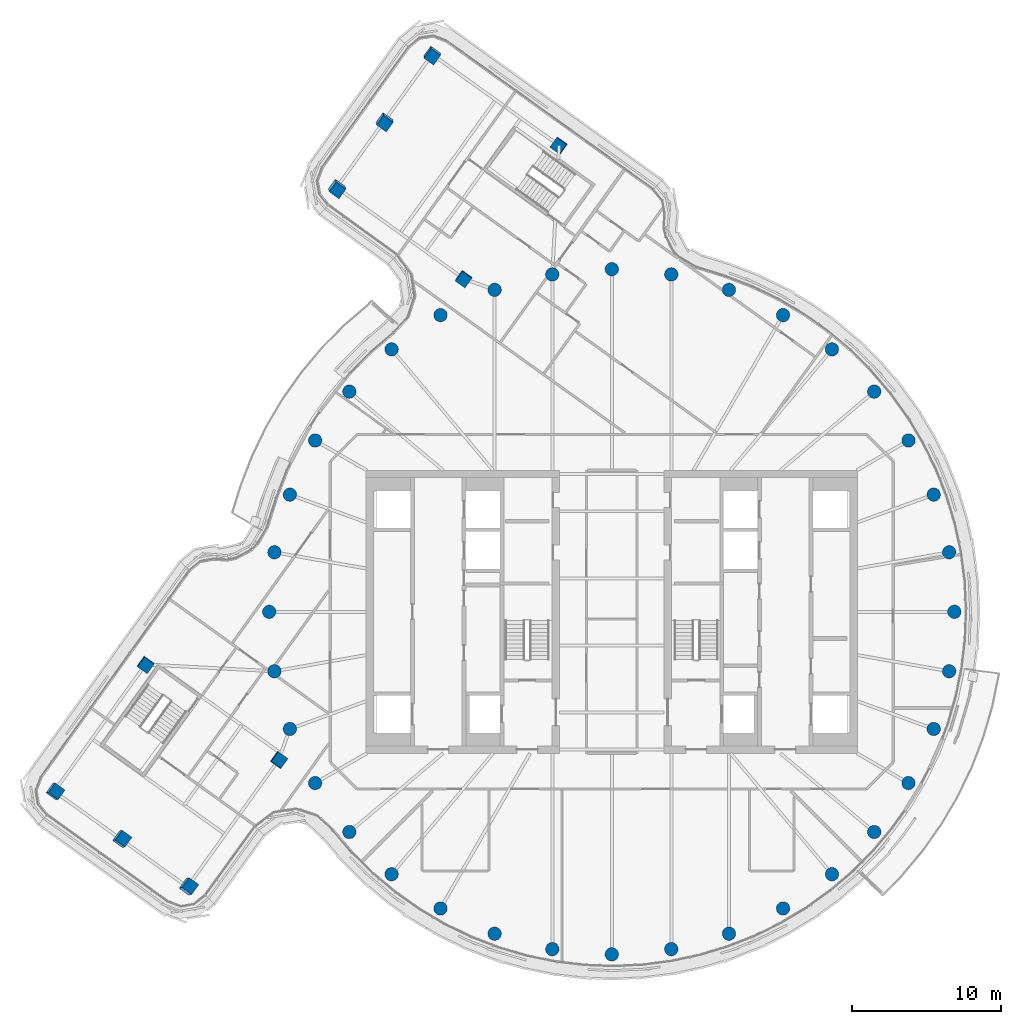
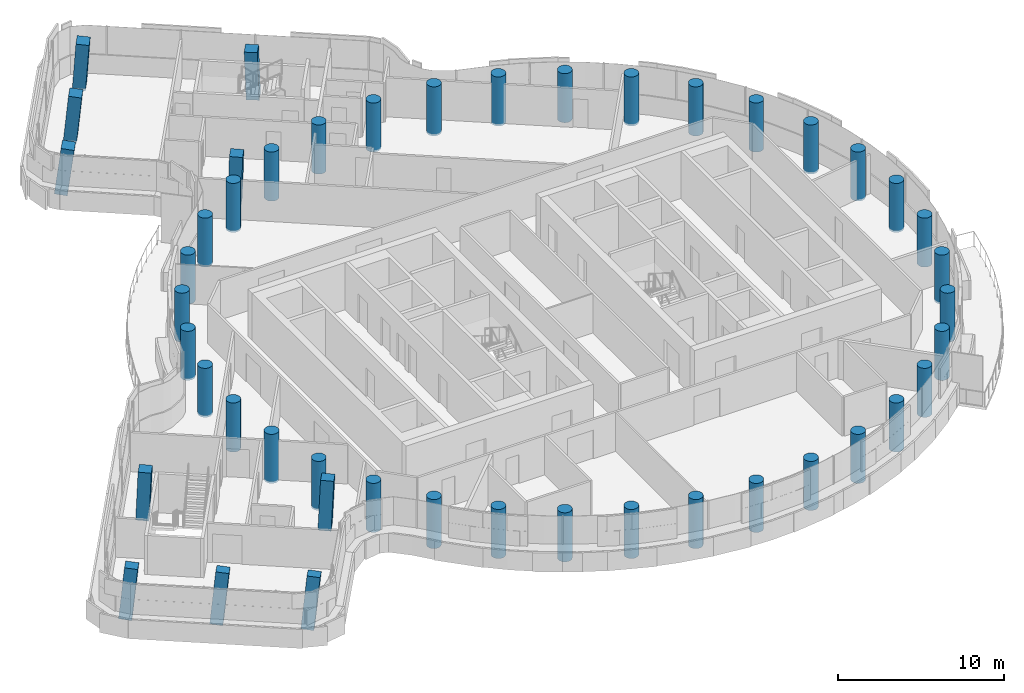
# One storey, part 1 of 27: 46 columns.
"""IFC4 building model written with IfcOpenShell, lengths in metres."""

from ifc_helpers import new_model, si_unit, direction, frame, origin, origin_2d, place, context, subcontext, project, spatial, rectangle, circle, extrude, material, material_profile, profile_set, type_object, element, save


model = new_model("IFC4")

# Units and contexts
model_context = context("Model", 3, precision=1e-05, world=origin(), true_north=direction((0.0, 1.0)))
body_context = subcontext(model_context, "Body", "Model", "MODEL_VIEW")
ifc_project = project(units=[si_unit("LENGTHUNIT", "METRE"), si_unit("AREAUNIT", "SQUARE_METRE"), si_unit("VOLUMEUNIT", "CUBIC_METRE"), si_unit("PLANEANGLEUNIT", "RADIAN"), si_unit("MASSUNIT", "GRAM", prefix="KILO")], contexts=[model_context])

# Site, building, storey
site_placement = place(None, origin())
site = spatial("IfcSite", under=ifc_project, at=site_placement, CompositionType="ELEMENT")
building_placement = place(site_placement, origin())
building = spatial("IfcBuilding", under=site, at=building_placement, Name="Tamarind Cross Interchange Tower", CompositionType="ELEMENT")
storey_placement = place(building_placement, frame((0.0, 0.0, 230.699951171875)))
storey = spatial("IfcBuildingStorey", under=building, at=storey_placement, Name="L58", CompositionType="ELEMENT", Elevation=230.699951171875)

# Columns
ifc_material = material(Name="Concrete C50", Category="concrete")
ifc_material_profile_1 = material_profile(ifc_material, rectangle(XDim=0.800048828125, YDim=0.800048828125, at=origin_2d()), Name="RC 800x800")
ifc_profile_set_1 = profile_set([ifc_material_profile_1], Name="Concrete C50")
column_type_1 = type_object("IfcColumnType", Name="Column RC 800x800 Concrete C50", PredefinedType="COLUMN", material=ifc_profile_set_1)
for number, where, z_axis, x_axis, name in (
    (1, (-9.949951171875, 22.371826171875, -0.138671875), (-0.001423368327, -0.050360127001, 0.998730109505), (0.583112220607, 0.811318568175, 0.041741096219), "Column L58-045"),
    (2, (-3.53564453125, 31.30810546875, -0.138671875), (-0.046903395281, -0.018368237169, 0.998730533915), (0.812398911724, -0.582456034438, 0.027440411373), "Column L58-046"),
):
    element("IfcColumn", number, at=place(storey_placement, frame(where, z_axis=z_axis, x_axis=x_axis)), inside=storey, type_object=column_type_1, Name=name, PredefinedType="COLUMN", context=body_context, shape_type="SweptSolid", body=[
        extrude(rectangle(XDim=0.800048828125, YDim=0.800048828125, at=origin_2d()), origin(), (0.0, 0.0, 1.0), 3.60205078125),
    ])
column_1_placement = place(storey_placement, frame((-12.0595703125, 37.42578125, -0.13525390625), z_axis=(0.00215950706, -0.116073504498, 0.993238278603), x_axis=(0.583172276017, 0.807002723853, 0.093041389604)))
element("IfcColumn", 3, at=column_1_placement, inside=storey, type_object=column_type_1, Name="Column L58-047", PredefinedType="COLUMN", context=body_context, shape_type="SweptSolid", body=[
    extrude(rectangle(XDim=0.800048828125, YDim=0.800048828125, at=origin_2d()), origin(), (0.0, 0.0, 1.0), 3.61767578125),
])
column_2_placement = place(storey_placement, frame((-15.2666015625, 32.957763671875, -0.13525390625), z_axis=(0.024710575005, -0.131699958338, 0.990981588354), x_axis=(0.584335033896, 0.806214986691, 0.092574096788)))
element("IfcColumn", 4, at=column_2_placement, inside=storey, type_object=column_type_1, Name="Column L58-048", PredefinedType="COLUMN", context=body_context, shape_type="SweptSolid", body=[
    extrude(rectangle(XDim=0.800048828125, YDim=0.800048828125, at=origin_2d()), origin(), (0.0, 0.0, 1.0), 3.6259765625),
])
column_3_placement = place(storey_placement, frame((-18.4736328125, 28.489501953125, -0.13525390625), z_axis=(0.047127070284, -0.147154612626, 0.987990161504), x_axis=(0.585442209632, 0.805472088734, 0.092044192929)))
element("IfcColumn", 5, at=column_3_placement, inside=storey, type_object=column_type_1, Name="Column L58-049", PredefinedType="COLUMN", context=body_context, shape_type="SweptSolid", body=[
    extrude(rectangle(XDim=0.800048828125, YDim=0.800048828125, at=origin_2d()), origin(), (0.0, 0.0, 1.0), 3.63671875),
])
for number, where, z_axis, x_axis, name in (
    (6, (-22.371826171875, -9.949951171875, -0.138671875), (0.050360127001, -0.001423368327, 0.998730109505), (-0.811318568175, 0.583112220607, 0.041741096219), "Column L58-052"),
    (7, (-31.30810546875, -3.53564453125, -0.138671875), (0.018368237169, -0.046903395281, 0.998730533915), (0.582456034438, 0.812398911724, 0.027440411373), "Column L58-053"),
):
    element("IfcColumn", number, at=place(storey_placement, frame(where, z_axis=z_axis, x_axis=x_axis)), inside=storey, type_object=column_type_1, Name=name, PredefinedType="COLUMN", context=body_context, shape_type="SweptSolid", body=[
        extrude(rectangle(XDim=0.800048828125, YDim=0.800048828125, at=origin_2d()), origin(), (0.0, 0.0, 1.0), 3.60205078125),
    ])
column_4_placement = place(storey_placement, frame((-37.42578125, -12.0595703125, -0.13525390625), z_axis=(0.116073504498, 0.00215950706, 0.993238278603), x_axis=(-0.807002723853, 0.583172276017, 0.093041389604)))
element("IfcColumn", 8, at=column_4_placement, inside=storey, type_object=column_type_1, Name="Column L58-054", PredefinedType="COLUMN", context=body_context, shape_type="SweptSolid", body=[
    extrude(rectangle(XDim=0.800048828125, YDim=0.800048828125, at=origin_2d()), origin(), (0.0, 0.0, 1.0), 3.61767578125),
])
column_5_placement = place(storey_placement, frame((-32.957763671875, -15.2666015625, -0.13525390625), z_axis=(0.131699958338, 0.024710575005, 0.990981588354), x_axis=(-0.806214986691, 0.584335033896, 0.092574096788)))
element("IfcColumn", 9, at=column_5_placement, inside=storey, type_object=column_type_1, Name="Column L58-055", PredefinedType="COLUMN", context=body_context, shape_type="SweptSolid", body=[
    extrude(rectangle(XDim=0.800048828125, YDim=0.800048828125, at=origin_2d()), origin(), (0.0, 0.0, 1.0), 3.6259765625),
])
column_6_placement = place(storey_placement, frame((-28.489501953125, -18.4736328125, -0.13525390625), z_axis=(0.147154612626, 0.047127070284, 0.987990161504), x_axis=(-0.805472088734, 0.585442209632, 0.092044192929)))
element("IfcColumn", 10, at=column_6_placement, inside=storey, type_object=column_type_1, Name="Column L58-056", PredefinedType="COLUMN", context=body_context, shape_type="SweptSolid", body=[
    extrude(rectangle(XDim=0.800048828125, YDim=0.800048828125, at=origin_2d()), origin(), (0.0, 0.0, 1.0), 3.63671875),
])
ifc_material_profile_2 = material_profile(ifc_material, circle(Radius=0.449951171875, at=origin_2d()), Name="RC D900")
ifc_profile_set_2 = profile_set([ifc_material_profile_2], Name="Concrete C50")
column_type_2 = type_object("IfcColumnType", Name="Column RC D900 Concrete C50", PredefinedType="COLUMN", material=ifc_profile_set_2)
for number, where, z_axis, x_axis, name in (
    (11, (23.0, 0.0, -0.139892578125), (0.0, 0.0, 1.0), (1.0, 0.0, 0.0), "Column L58-000"),
    (12, (22.650634765625, 3.993896484375, -0.139892578125), (0.0, 0.0, 1.0), (1.0, 0.0, 0.0), "Column L58-001"),
    (13, (21.613037109375, 7.866455078125, -0.139892578125), (0.0, 0.0, 1.0), (1.0, 0.0, 0.0), "Column L58-002"),
    (14, (19.918701171875, 11.5, -0.139892578125), (0.0, 0.0, 1.0), (1.0, 0.0, 0.0), "Column L58-003"),
    (15, (17.619140625, 14.7841796875, -0.139892578125), (0.0, 0.0, 1.0), (1.0, 0.0, 0.0), "Column L58-004"),
    (16, (14.7841796875, 17.619140625, -0.139892578125), (0.0, 0.0, 1.0), (1.0, 0.0, 0.0), "Column L58-005"),
    (17, (11.5, 19.918701171875, -0.139892578125), (0.0, 0.0, 1.0), (1.0, 0.0, 0.0), "Column L58-006"),
    (18, (7.866455078125, 21.613037109375, -0.139892578125), (0.0, 0.0, 1.0), (1.0, 0.0, 0.0), "Column L58-007"),
    (19, (3.993896484375, 22.650634765625, -0.139892578125), (0.0, 0.0, 1.0), (1.0, 0.0, 0.0), "Column L58-008"),
    (20, (0.0, 23.0, -0.139892578125), (0.0, 0.0, 1.0), (1.0, 0.0, 0.0), "Column L58-009"),
    (21, (-3.993896484375, 22.650634765625, -0.139892578125), (0.0, 0.0, 1.0), (1.0, 0.0, 0.0), "Column L58-010"),
    (22, (-7.866455078125, 21.613037109375, -0.139892578125), (0.0, 0.0, 1.0), (1.0, 0.0, 0.0), "Column L58-011"),
    (23, (-11.5, 19.918701171875, -0.139892578125), (0.0, 0.0, 1.0), (1.0, 0.0, 0.0), "Column L58-012"),
    (24, (-14.7841796875, 17.619140625, -0.139892578125), (0.0, 0.0, 1.0), (1.0, 0.0, 0.0), "Column L58-013"),
    (25, (-17.619140625, 14.7841796875, -0.139892578125), (0.0, 0.0, 1.0), (1.0, 0.0, 0.0), "Column L58-014"),
    (26, (-19.918701171875, 11.5, -0.139892578125), (0.0, 0.0, 1.0), (1.0, 0.0, 0.0), "Column L58-015"),
    (27, (-21.613037109375, 7.866455078125, -0.139892578125), (0.0, 0.0, 1.0), (1.0, 0.0, 0.0), "Column L58-016"),
    (28, (-22.650634765625, 3.993896484375, -0.139892578125), (0.0, 0.0, 1.0), (1.0, 0.0, 0.0), "Column L58-017"),
    (29, (-23.0, 0.0, -0.139892578125), (0.0, 0.0, 1.0), (1.0, 0.0, 0.0), "Column L58-018"),
    (30, (-22.650634765625, -3.993896484375, -0.139892578125), (0.0, 0.0, 1.0), (1.0, 0.0, 0.0), "Column L58-019"),
    (31, (-21.613037109375, -7.866455078125, -0.139892578125), (0.0, 0.0, 1.0), (1.0, 0.0, 0.0), "Column L58-020"),
    (32, (-19.918701171875, -11.5, -0.139892578125), (0.0, 0.0, 1.0), (1.0, 0.0, 0.0), "Column L58-021"),
    (33, (-17.619140625, -14.7841796875, -0.139892578125), (0.0, 0.0, 1.0), (1.0, 0.0, 0.0), "Column L58-022"),
    (34, (-14.7841796875, -17.619140625, -0.139892578125), (0.0, 0.0, 1.0), (1.0, 0.0, 0.0), "Column L58-023"),
    (35, (-11.5, -19.918701171875, -0.139892578125), (0.0, 0.0, 1.0), (1.0, 0.0, 0.0), "Column L58-024"),
    (36, (-7.866455078125, -21.613037109375, -0.139892578125), (0.0, 0.0, 1.0), (1.0, 0.0, 0.0), "Column L58-025"),
    (37, (-3.993896484375, -22.650634765625, -0.139892578125), (0.0, 0.0, 1.0), (1.0, 0.0, 0.0), "Column L58-026"),
    (38, (0.0, -23.0, -0.139892578125), (0.0, 0.0, 1.0), (1.0, 0.0, 0.0), "Column L58-027"),
    (39, (3.993896484375, -22.650634765625, -0.139892578125), (0.0, 0.0, 1.0), (1.0, 0.0, 0.0), "Column L58-028"),
    (40, (7.866455078125, -21.613037109375, -0.139892578125), (0.0, 0.0, 1.0), (1.0, 0.0, 0.0), "Column L58-029"),
    (41, (11.5, -19.918701171875, -0.139892578125), (0.0, 0.0, 1.0), (1.0, 0.0, 0.0), "Column L58-030"),
    (42, (14.7841796875, -17.619140625, -0.139892578125), (0.0, 0.0, 1.0), (1.0, 0.0, 0.0), "Column L58-031"),
    (43, (17.619140625, -14.7841796875, -0.139892578125), (0.0, 0.0, 1.0), (1.0, 0.0, 0.0), "Column L58-032"),
    (44, (19.918701171875, -11.5, -0.139892578125), (0.0, 0.0, 1.0), (1.0, 0.0, 0.0), "Column L58-033"),
    (45, (21.613037109375, -7.866455078125, -0.139892578125), (0.0, 0.0, 1.0), (1.0, 0.0, 0.0), "Column L58-034"),
    (46, (22.650634765625, -3.993896484375, -0.139892578125), (0.0, 0.0, 1.0), (1.0, 0.0, 0.0), "Column L58-035"),
):
    element("IfcColumn", number, at=place(storey_placement, frame(where, z_axis=z_axis, x_axis=x_axis)), inside=storey, type_object=column_type_2, Name=name, PredefinedType="COLUMN", context=body_context, shape_type="SweptSolid", body=[
        extrude(circle(Radius=0.449951171875, at=origin_2d()), origin(), (0.0, 0.0, 1.0), 3.599853515625),
    ])

save(model, "model.ifc")
